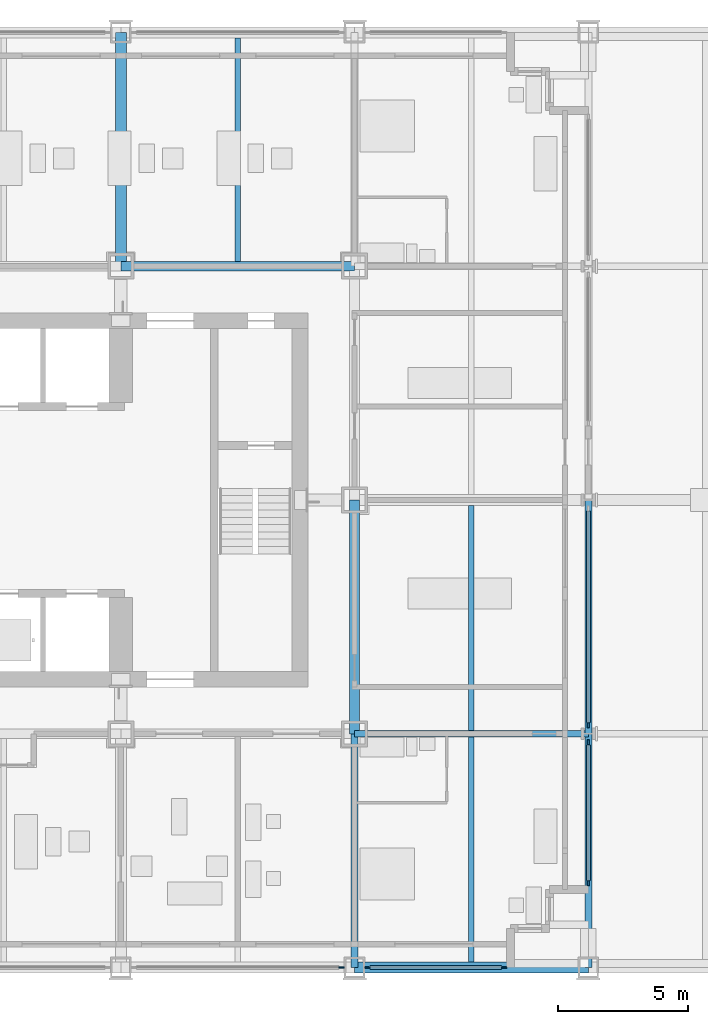
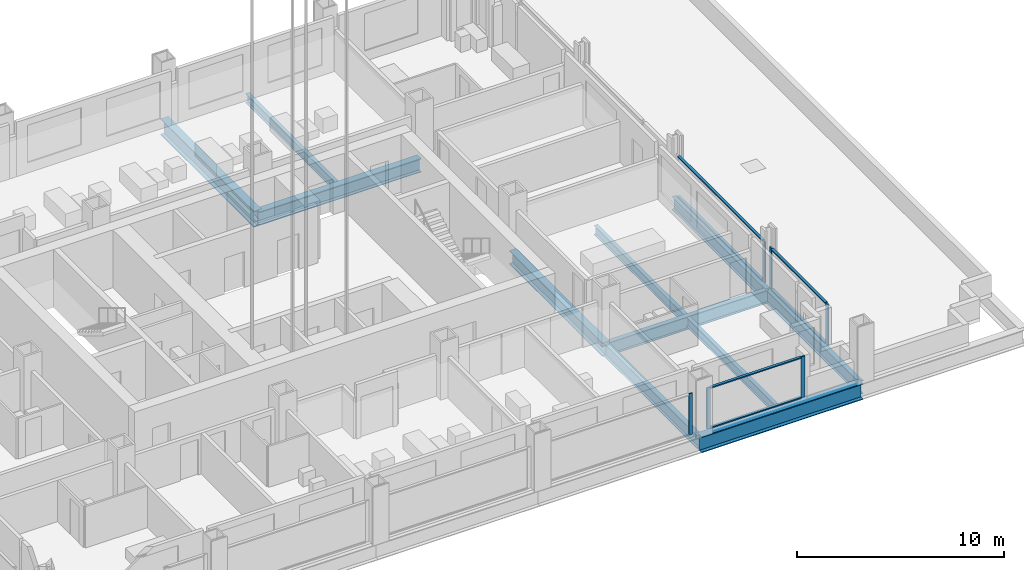
# One storey, part 5 of 19: 12 members, 11 beams, 4 elements without a shape of their own.
"""IFC4 building model written with IfcOpenShell, lengths in metres."""

from ifc_helpers import new_model, si_unit, direction, frame, origin, origin_2d, place, context, subcontext, project, spatial, rectangle, i_section, extrude, material, material_profile, profile_set, type_object, element, aggregate, save


model = new_model("IFC4")

# Units and contexts
model_context = context("Model", 3, precision=1e-05, world=origin(), true_north=direction((0.0, 1.0)))
body_context = subcontext(model_context, "Body", "Model", "MODEL_VIEW")
ifc_project = project(units=[si_unit("LENGTHUNIT", "METRE"), si_unit("AREAUNIT", "SQUARE_METRE"), si_unit("VOLUMEUNIT", "CUBIC_METRE"), si_unit("PLANEANGLEUNIT", "RADIAN"), si_unit("MASSUNIT", "GRAM", prefix="KILO")], contexts=[model_context])

# Site, building, storey
site_placement = place(None, origin())
site = spatial("IfcSite", under=ifc_project, at=site_placement, CompositionType="ELEMENT")
building_placement = place(site_placement, origin())
building = spatial("IfcBuilding", under=site, at=building_placement, Name="Loomwork Tower", CompositionType="ELEMENT")
storey_placement = place(building_placement, frame((0.0, 0.0, 94.199951171875)))
storey = spatial("IfcBuildingStorey", under=building, at=storey_placement, Name="L24", CompositionType="ELEMENT", Elevation=94.199951171875)

# Beams
ifc_material_1 = material(Name="Steel ASTM A992", Category="steel")
ifc_material_profile_1 = material_profile(ifc_material_1, i_section(OverallWidth=0.424072265625, OverallDepth=0.947509765625, WebThickness=0.02392578125, FlangeThickness=0.042724609375, at=origin_2d()), Name="W36x302")
ifc_profile_set_1 = profile_set([ifc_material_profile_1], Name="Steel ASTM A992")
beam_type_1 = type_object("IfcBeamType", Name="BELT CHORD SPANDREL W36x302", PredefinedType="SPANDREL", material=ifc_profile_set_1)
beam_1_placement = place(storey_placement, frame((36.0, 0.0, -0.673583984375), z_axis=(1.0, 0.0, 0.0), x_axis=(0.0, 1.0, 0.0)))
element("IfcBeam", 1, at=beam_1_placement, inside=storey, type_object=beam_type_1, Name="Belt Chord Spandrel D/6-D/7 L24", PredefinedType="SPANDREL", context=body_context, shape_type="SweptSolid", body=[
    extrude(i_section(OverallWidth=0.424072265625, OverallDepth=0.947509765625, WebThickness=0.02392578125, FlangeThickness=0.042724609375, at=origin_2d()), origin(), (0.0, 0.0, 1.0), 9.0),
])
ifc_material_2 = material(Name="Steel ASTM A992", Category="steel")
ifc_material_profile_2 = material_profile(ifc_material_2, i_section(OverallWidth=0.383544921875, OverallDepth=0.794921875, WebThickness=0.02099609375, FlangeThickness=0.0380859375, at=origin_2d()), Name="W30x235")
ifc_profile_set_2 = profile_set([ifc_material_profile_2], Name="Steel ASTM A992")
beam_type_2 = type_object("IfcBeamType", Name="CORE FLANK GIRDER W30x235", PredefinedType="BEAM", material=ifc_profile_set_2)
for number, where, z_axis, x_axis, name in (
    (2, (27.0, 27.0, -0.597412109375), (1.0, 0.0, 0.0), (0.0, 1.0, 0.0), "Core Flank Girder G/5-G/6 L24"),
    (3, (36.0, 9.0, -0.597412109375), (0.0, 1.0, 0.0), (-1.0, 0.0, 0.0), "Core Flank Girder E/6-F/6 L24"),
):
    element("IfcBeam", number, at=place(storey_placement, frame(where, z_axis=z_axis, x_axis=x_axis)), inside=storey, type_object=beam_type_2, Name=name, PredefinedType="BEAM", context=body_context, shape_type="SweptSolid", body=[
        extrude(i_section(OverallWidth=0.383544921875, OverallDepth=0.794921875, WebThickness=0.02099609375, FlangeThickness=0.0380859375, at=origin_2d()), origin(), (0.0, 0.0, 1.0), 9.0),
    ])
ifc_material_3 = material(Name="Steel ASTM A992", Category="steel")
ifc_material_profile_3 = material_profile(ifc_material_3, i_section(OverallWidth=0.2666015625, OverallDepth=0.761962890625, WebThickness=0.014404296875, FlangeThickness=0.021484375, at=origin_2d()), Name="W30x116")
ifc_profile_set_3 = profile_set([ifc_material_profile_3], Name="Steel ASTM A992")
beam_type_3 = type_object("IfcBeamType", Name="FLOOR GIRDER W30x116", PredefinedType="BEAM", material=ifc_profile_set_3)
for number, where, z_axis, x_axis, name in (
    (4, (36.0, 9.0, -0.5810546875), (1.0, 0.0, 0.0), (0.0, 1.0, 0.0), "Floor Girder E/6-E/7 L24"),
    (5, (36.0, 0.0, -0.5810546875), (0.0, 1.0, 0.0), (-1.0, 0.0, 0.0), "Floor Girder D/6-E/6 L24"),
    (6, (45.0, 0.0, -0.5810546875), (0.0, 1.0, 0.0), (-1.0, 0.0, 0.0), "Floor Girder D/7-E/7 L24"),
    (7, (45.0, 9.0, -0.5810546875), (0.0, 1.0, 0.0), (-1.0, 0.0, 0.0), "Floor Girder E/7-F/7 L24"),
):
    element("IfcBeam", number, at=place(storey_placement, frame(where, z_axis=z_axis, x_axis=x_axis)), inside=storey, type_object=beam_type_3, Name=name, PredefinedType="BEAM", context=body_context, shape_type="SweptSolid", body=[
        extrude(i_section(OverallWidth=0.2666015625, OverallDepth=0.761962890625, WebThickness=0.014404296875, FlangeThickness=0.021484375, at=origin_2d()), origin(), (0.0, 0.0, 1.0), 9.0),
    ])
ifc_material_4 = material(Name="Steel ASTM A992", Category="steel")
ifc_material_profile_4 = material_profile(ifc_material_4, i_section(OverallWidth=0.21240234375, OverallDepth=0.54345703125, WebThickness=0.01318359375, FlangeThickness=0.021240234375, at=origin_2d()), Name="W21x83")
ifc_profile_set_4 = profile_set([ifc_material_profile_4], Name="Steel ASTM A992")
beam_type_4 = type_object("IfcBeamType", Name="FLOOR JOIST W21x83", PredefinedType="JOIST", material=ifc_profile_set_4)
beam_2_placement = place(storey_placement, frame((31.5, 27.19091796875, -0.4716796875), z_axis=(0.0, 1.0, 0.0), x_axis=(-1.0, 0.0, 0.0)))
element("IfcBeam", 8, at=beam_2_placement, inside=storey, type_object=beam_type_4, Name="Floor Joist 31.500,27.000-31.500,36.000 L24", PredefinedType="JOIST", context=body_context, shape_type="SweptSolid", body=[
    extrude(i_section(OverallWidth=0.21240234375, OverallDepth=0.54345703125, WebThickness=0.01318359375, FlangeThickness=0.021240234375, at=origin_2d()), origin(), (0.0, 0.0, 1.0), 8.59716796875),
])
for number, where, z_axis, x_axis, name in (
    (9, (40.5, 0.2119140625, -0.4716796875), (0.0, 1.0, 0.0), (-1.0, 0.0, 0.0), "Floor Joist 40.500,0.000-40.500,9.000 L24"),
    (10, (40.5, 9.133056640625, -0.4716796875), (0.0, 1.0, 0.0), (-1.0, 0.0, 0.0), "Floor Joist 40.500,9.000-40.500,18.000 L24"),
):
    element("IfcBeam", number, at=place(storey_placement, frame(where, z_axis=z_axis, x_axis=x_axis)), inside=storey, type_object=beam_type_4, Name=name, PredefinedType="JOIST", context=body_context, shape_type="SweptSolid", body=[
        extrude(i_section(OverallWidth=0.21240234375, OverallDepth=0.54345703125, WebThickness=0.01318359375, FlangeThickness=0.021240234375, at=origin_2d()), origin(), (0.0, 0.0, 1.0), 8.655029296875),
    ])
ifc_material_5 = material(Name="Steel ASTM A992", Category="steel")
ifc_material_profile_5 = material_profile(ifc_material_5, i_section(OverallWidth=0.424072265625, OverallDepth=0.947509765625, WebThickness=0.02392578125, FlangeThickness=0.042724609375, at=origin_2d()), Name="W36x302")
ifc_profile_set_5 = profile_set([ifc_material_profile_5], Name="Steel ASTM A992")
beam_type_5 = type_object("IfcBeamType", Name="OUTRIGGER GIRDER W36x302", PredefinedType="BEAM", material=ifc_profile_set_5)
beam_3_placement = place(storey_placement, frame((27.0, 27.0, -0.673583984375), z_axis=(0.0, 1.0, 0.0), x_axis=(-1.0, 0.0, 0.0)))
element("IfcBeam", 11, at=beam_3_placement, inside=storey, type_object=beam_type_5, Name="Outrigger Girder G/5-H/5 L24", PredefinedType="BEAM", context=body_context, shape_type="SweptSolid", body=[
    extrude(i_section(OverallWidth=0.424072265625, OverallDepth=0.947509765625, WebThickness=0.02392578125, FlangeThickness=0.042724609375, at=origin_2d()), origin(), (0.0, 0.0, 1.0), 9.0),
])

# Curtain wall, member
ifc_material_6 = material(Name="Aluminium curtain wall frame", Category="aluminium")
curtain_wall_type = type_object("IfcCurtainWallType", Name="Outer skin glazing hotel", PredefinedType="NOTDEFINED", material=ifc_material_6)
curtain_wall_1_placement = place(storey_placement, origin())
curtain_wall_1 = element("IfcCurtainWall", 12, at=curtain_wall_1_placement, inside=storey, type_object=curtain_wall_type, Name="Outer skin glazing hotel cw/S-27", PredefinedType="NOTDEFINED")
ifc_material_7 = material(Name="Aluminium curtain wall frame", Category="aluminium")
ifc_material_profile_6 = material_profile(ifc_material_7, rectangle(XDim=0.06494140625, YDim=0.199951171875, at=origin_2d()), Name="AL 65x200")
ifc_profile_set_6 = profile_set([ifc_material_profile_6], Name="Aluminium curtain wall frame")
member_type_1 = type_object("IfcMemberType", Name="Outer skin glazing hotel mullion", PredefinedType="MULLION", material=ifc_profile_set_6)
member_1_placement = place(storey_placement, frame((35.5, 0.0, 0.0), z_axis=(0.0, 0.0, 1.0), x_axis=(0.0, 1.0, 0.0)))
member_1 = element("IfcMember", 13, at=member_1_placement, type_object=member_type_1, Name="CW1 mullion 2", PredefinedType="MULLION", context=body_context, shape_type="SweptSolid", body=[
    extrude(rectangle(XDim=0.06494140625, YDim=0.199951171875, at=origin_2d()), origin(), (0.0, 0.0, 1.0), 2.420166015625),
])
aggregate(curtain_wall_1, [member_1])

# Curtain wall, members
curtain_wall_2_placement = place(storey_placement, origin())
curtain_wall_2 = element("IfcCurtainWall", 14, at=curtain_wall_2_placement, inside=storey, type_object=curtain_wall_type, Name="Outer skin glazing hotel cw/S-36", PredefinedType="NOTDEFINED")
member_2_placement = place(storey_placement, frame((36.5, 0.0, 0.0), z_axis=(0.0, 0.0, 1.0), x_axis=(0.0, 1.0, 0.0)))
member_2 = element("IfcMember", 15, at=member_2_placement, type_object=member_type_1, Name="CW1 mullion 1", PredefinedType="MULLION", context=body_context, shape_type="SweptSolid", body=[
    extrude(rectangle(XDim=0.06494140625, YDim=0.199951171875, at=origin_2d()), origin(), (0.0, 0.0, 1.0), 2.420166015625),
])
member_3_placement = place(storey_placement, frame((41.75, 0.0, 0.0), z_axis=(0.0, 0.0, 1.0), x_axis=(0.0, 1.0, 0.0)))
member_3 = element("IfcMember", 16, at=member_3_placement, type_object=member_type_1, Name="CW1 mullion 2", PredefinedType="MULLION", context=body_context, shape_type="SweptSolid", body=[
    extrude(rectangle(XDim=0.06494140625, YDim=0.199951171875, at=origin_2d()), origin(), (0.0, 0.0, 1.0), 2.420166015625),
])

curtain_wall_3_placement = place(storey_placement, origin())
curtain_wall_3 = element("IfcCurtainWall", 17, at=curtain_wall_3_placement, inside=storey, type_object=curtain_wall_type, Name="Outer skin glazing hotel cw/E-0", PredefinedType="NOTDEFINED")
member_4_placement = place(storey_placement, frame((45.0, 3.25, 0.0), z_axis=(0.0, 0.0, 1.0), x_axis=(-1.0, 0.0, 0.0)))
member_4 = element("IfcMember", 18, at=member_4_placement, type_object=member_type_1, Name="CW1 mullion 1", PredefinedType="MULLION", context=body_context, shape_type="SweptSolid", body=[
    extrude(rectangle(XDim=0.06494140625, YDim=0.199951171875, at=origin_2d()), origin(), (0.0, 0.0, 1.0), 2.420166015625),
])
member_5_placement = place(storey_placement, frame((45.0, 8.67529296875, 0.0), z_axis=(0.0, 0.0, 1.0), x_axis=(-1.0, 0.0, 0.0)))
member_5 = element("IfcMember", 19, at=member_5_placement, type_object=member_type_1, Name="CW1 mullion 2", PredefinedType="MULLION", context=body_context, shape_type="SweptSolid", body=[
    extrude(rectangle(XDim=0.06494140625, YDim=0.199951171875, at=origin_2d()), origin(), (0.0, 0.0, 1.0), 2.420166015625),
])

# Curtain wall, member
curtain_wall_4_placement = place(storey_placement, origin())
curtain_wall_4 = element("IfcCurtainWall", 20, at=curtain_wall_4_placement, inside=storey, type_object=curtain_wall_type, Name="Outer skin glazing hotel cw/E-9", PredefinedType="NOTDEFINED")
member_6_placement = place(storey_placement, frame((45.0, 9.32470703125, 0.0), z_axis=(0.0, 0.0, 1.0), x_axis=(-1.0, 0.0, 0.0)))
member_6 = element("IfcMember", 21, at=member_6_placement, type_object=member_type_1, Name="CW1 mullion 1", PredefinedType="MULLION", context=body_context, shape_type="SweptSolid", body=[
    extrude(rectangle(XDim=0.06494140625, YDim=0.199951171875, at=origin_2d()), origin(), (0.0, 0.0, 1.0), 2.420166015625),
])

# Member
ifc_material_8 = material(Name="Aluminium curtain wall frame", Category="aluminium")
ifc_material_profile_7 = material_profile(ifc_material_8, rectangle(XDim=0.14990234375, YDim=0.06494140625, at=origin_2d()), Name="AL 65x150")
ifc_profile_set_7 = profile_set([ifc_material_profile_7], Name="Aluminium curtain wall frame")
member_type_2 = type_object("IfcMemberType", Name="Outer skin glazing hotel transom", PredefinedType="USERDEFINED", material=ifc_profile_set_7)
member_7_placement = place(storey_placement, frame((36.60009765625, 0.0, 0.032470703125), z_axis=(1.0, 0.0, 0.0), x_axis=(0.0, 1.0, 0.0)))
member_7 = element("IfcMember", 22, at=member_7_placement, type_object=member_type_2, Name="CW1 transom 1.1", ObjectType="TRANSOM", PredefinedType="USERDEFINED", context=body_context, shape_type="SweptSolid", body=[
    extrude(rectangle(XDim=0.14990234375, YDim=0.06494140625, at=origin_2d()), origin(), (0.0, 0.0, 1.0), 5.0498046875),
])

member_8_placement = place(storey_placement, frame((36.60009765625, 0.0, 2.3876953125), z_axis=(1.0, 0.0, 0.0), x_axis=(0.0, 1.0, 0.0)))
member_8 = element("IfcMember", 23, at=member_8_placement, type_object=member_type_2, Name="CW1 transom 1.2", ObjectType="TRANSOM", PredefinedType="USERDEFINED", context=body_context, shape_type="SweptSolid", body=[
    extrude(rectangle(XDim=0.14990234375, YDim=0.06494140625, at=origin_2d()), origin(), (0.0, 0.0, 1.0), 5.0498046875),
])

aggregate(curtain_wall_2, [member_2, member_3, member_7, member_8])

member_9_placement = place(storey_placement, frame((45.0, 3.35009765625, 0.032470703125), z_axis=(0.0, 1.0, 0.0), x_axis=(-1.0, 0.0, 0.0)))
member_9 = element("IfcMember", 24, at=member_9_placement, type_object=member_type_2, Name="CW1 transom 1.1", ObjectType="TRANSOM", PredefinedType="USERDEFINED", context=body_context, shape_type="SweptSolid", body=[
    extrude(rectangle(XDim=0.14990234375, YDim=0.06494140625, at=origin_2d()), origin(), (0.0, 0.0, 1.0), 5.22509765625),
])

member_10_placement = place(storey_placement, frame((45.0, 3.35009765625, 2.3876953125), z_axis=(0.0, 1.0, 0.0), x_axis=(-1.0, 0.0, 0.0)))
member_10 = element("IfcMember", 25, at=member_10_placement, type_object=member_type_2, Name="CW1 transom 1.2", ObjectType="TRANSOM", PredefinedType="USERDEFINED", context=body_context, shape_type="SweptSolid", body=[
    extrude(rectangle(XDim=0.14990234375, YDim=0.06494140625, at=origin_2d()), origin(), (0.0, 0.0, 1.0), 5.22509765625),
])

aggregate(curtain_wall_3, [member_4, member_5, member_9, member_10])

member_11_placement = place(storey_placement, frame((45.0, 9.4248046875, 0.032470703125), z_axis=(0.0, 1.0, 0.0), x_axis=(-1.0, 0.0, 0.0)))
member_11 = element("IfcMember", 26, at=member_11_placement, type_object=member_type_2, Name="CW1 transom 1.1", ObjectType="TRANSOM", PredefinedType="USERDEFINED", context=body_context, shape_type="SweptSolid", body=[
    extrude(rectangle(XDim=0.14990234375, YDim=0.06494140625, at=origin_2d()), origin(), (0.0, 0.0, 1.0), 8.150390625),
])

member_12_placement = place(storey_placement, frame((45.0, 9.4248046875, 2.3876953125), z_axis=(0.0, 1.0, 0.0), x_axis=(-1.0, 0.0, 0.0)))
member_12 = element("IfcMember", 27, at=member_12_placement, type_object=member_type_2, Name="CW1 transom 1.2", ObjectType="TRANSOM", PredefinedType="USERDEFINED", context=body_context, shape_type="SweptSolid", body=[
    extrude(rectangle(XDim=0.14990234375, YDim=0.06494140625, at=origin_2d()), origin(), (0.0, 0.0, 1.0), 8.150390625),
])

aggregate(curtain_wall_4, [member_6, member_11, member_12])

save(model, "model.ifc")
